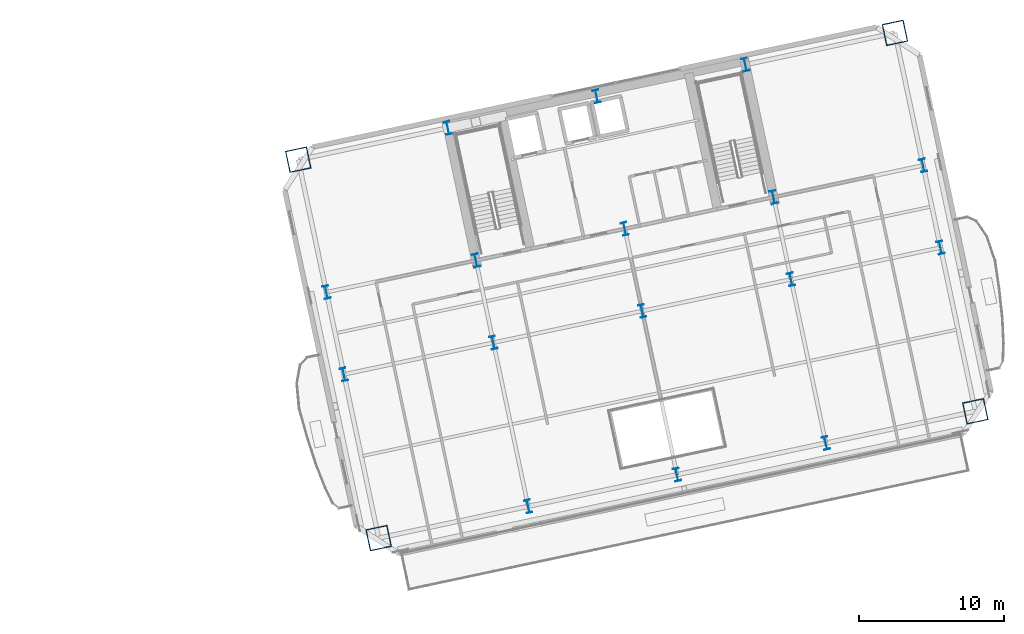
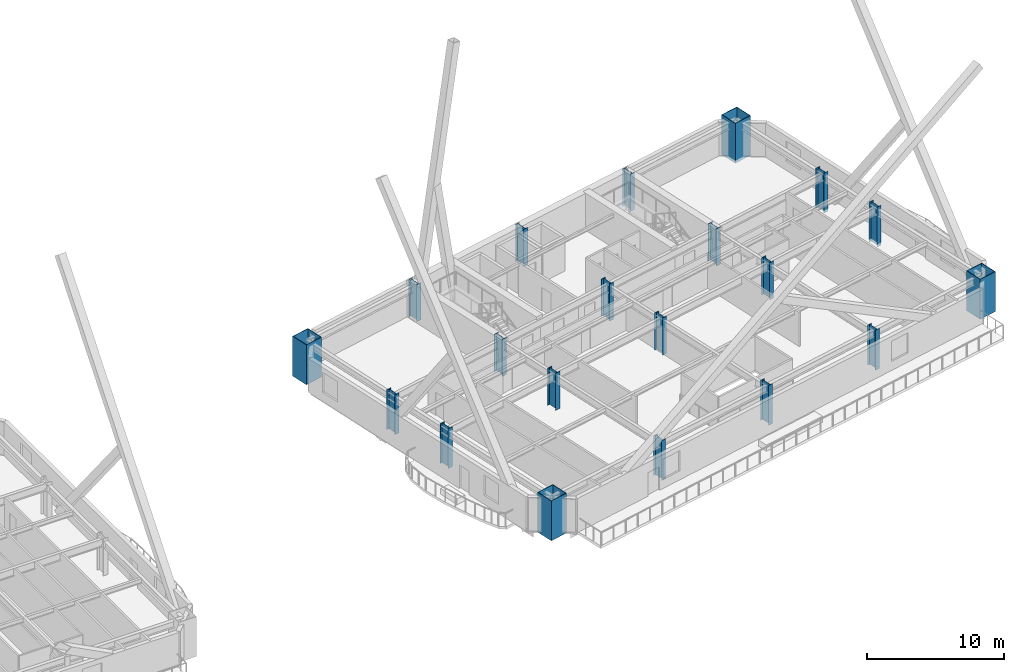
# One storey, part 2 of 22: 20 columns.
"""IFC4 building model written with IfcOpenShell, lengths in metres."""

from ifc_helpers import new_model, si_unit, direction, frame, origin, origin_2d, place, context, subcontext, project, spatial, hollow_rectangle, i_section, extrude, material, material_profile, profile_set, type_object, element, save


model = new_model("IFC4")

# Units and contexts
model_context = context("Model", 3, precision=1e-05, world=origin(), true_north=direction((0.0, 1.0)))
body_context = subcontext(model_context, "Body", "Model", "MODEL_VIEW")
ifc_project = project(units=[si_unit("LENGTHUNIT", "METRE"), si_unit("AREAUNIT", "SQUARE_METRE"), si_unit("VOLUMEUNIT", "CUBIC_METRE"), si_unit("PLANEANGLEUNIT", "RADIAN"), si_unit("MASSUNIT", "GRAM", prefix="KILO")], contexts=[model_context])

# Site, building, storey
site_placement = place(None, origin())
site = spatial("IfcSite", under=ifc_project, at=site_placement, CompositionType="ELEMENT")
building_placement = place(site_placement, origin())
building = spatial("IfcBuilding", under=site, at=building_placement, Name="Haevon Station Towers", CompositionType="ELEMENT")
storey_placement = place(building_placement, frame((0.0, 0.0, 70.199951171875)))
storey = spatial("IfcBuildingStorey", under=building, at=storey_placement, Name="L18", CompositionType="ELEMENT", Elevation=70.199951171875)

# Columns
ifc_material = material(Name="Steel S460", Category="steel")
ifc_material_profile_1 = material_profile(ifc_material, hollow_rectangle(XDim=1.5, YDim=1.5, WallThickness=0.0400390625, at=origin_2d()), Name="BOX-1500x1500x40")
ifc_profile_set_1 = profile_set([ifc_material_profile_1], Name="Steel S460")
column_type_1 = type_object("IfcColumnType", Name="COL-MC2", PredefinedType="COLUMN", material=ifc_profile_set_1)
for number, where, z_axis, x_axis, name in (
    (1, (92.040283203125, 18.278076171875, -0.25), (0.0, 0.0, 1.0), (0.978147600734, 0.207911690818, 0.0), "COL-T2-L18-01-01"),
    (2, (86.489013671875, 44.39453125, -0.25), (0.0, 0.0, 1.0), (0.978147600734, 0.207911690818, 0.0), "COL-T2-L18-01-04"),
    (3, (133.22021484375, 27.03125, -0.25), (0.0, 0.0, 1.0), (0.978147600734, 0.207911690818, 0.0), "COL-T2-L18-05-01"),
    (4, (127.6689453125, 53.147705078125, -0.25), (0.0, 0.0, 1.0), (0.978147600734, 0.207911690818, 0.0), "COL-T2-L18-05-04"),
):
    element("IfcColumn", number, at=place(storey_placement, frame(where, z_axis=z_axis, x_axis=x_axis)), inside=storey, type_object=column_type_1, Name=name, PredefinedType="COLUMN", context=body_context, shape_type="SweptSolid", body=[
        extrude(hollow_rectangle(XDim=1.5, YDim=1.5, WallThickness=0.0400390625, at=origin_2d()), origin(), (0.0, 0.0, 1.0), 3.550048828125),
    ])
ifc_material_profile_2 = material_profile(ifc_material, i_section(OverallWidth=0.39990234375, OverallDepth=0.89990234375, WebThickness=0.02001953125, FlangeThickness=0.035888671875, at=origin_2d()), Name="H-900x400x20x36")
ifc_profile_set_2 = profile_set([ifc_material_profile_2], Name="Steel S460")
column_type_2 = type_object("IfcColumnType", Name="COL-TW1", PredefinedType="COLUMN", material=ifc_profile_set_2)
for number, where, z_axis, x_axis, name in (
    (5, (89.638671875, 29.57568359375, -0.25), (0.0, 0.0, 1.0), (0.978147600734, 0.207911690818, 0.0), "COL-T2-L18-01-02"),
    (6, (88.432861328125, 35.2490234375, -0.25), (0.0, 0.0, 1.0), (0.978147600734, 0.207911690818, 0.0), "COL-T2-L18-01-03"),
    (7, (102.359619140625, 20.471435546875, -0.25), (0.0, 0.0, 1.0), (0.978147600734, 0.207911690818, 0.0), "COL-T2-L18-02-01"),
):
    element("IfcColumn", number, at=place(storey_placement, frame(where, z_axis=z_axis, x_axis=x_axis)), inside=storey, type_object=column_type_2, Name=name, PredefinedType="COLUMN", context=body_context, shape_type="SweptSolid", body=[
        extrude(i_section(OverallWidth=0.39990234375, OverallDepth=0.89990234375, WebThickness=0.02001953125, FlangeThickness=0.035888671875, at=origin_2d()), origin(), (0.0, 0.0, 1.0), 3.550048828125),
    ])
for number, where, z_axis, x_axis, name in (
    (8, (99.958251953125, 31.76904296875, 0.0), (0.0, 0.0, 1.0), (0.978147600734, 0.207911690818, 0.0), "COL-T2-L18-02-02"),
    (9, (98.75244140625, 37.4423828125, 0.0), (0.0, 0.0, 1.0), (0.978147600734, 0.207911690818, 0.0), "COL-T2-L18-02-03"),
    (10, (96.808349609375, 46.588134765625, 0.0), (0.0, 0.0, 1.0), (0.978147600734, 0.207911690818, 0.0), "COL-T2-L18-02-04"),
):
    element("IfcColumn", number, at=place(storey_placement, frame(where, z_axis=z_axis, x_axis=x_axis)), inside=storey, type_object=column_type_2, Name=name, PredefinedType="COLUMN", context=body_context, shape_type="SweptSolid", body=[
        extrude(i_section(OverallWidth=0.39990234375, OverallDepth=0.89990234375, WebThickness=0.02001953125, FlangeThickness=0.035888671875, at=origin_2d()), origin(), (0.0, 0.0, 1.0), 3.300048828125),
    ])
column_1_placement = place(storey_placement, frame((112.630126953125, 22.654541015625, -0.25), z_axis=(0.0, 0.0, 1.0), x_axis=(0.978147600734, 0.207911690818, 0.0)))
element("IfcColumn", 11, at=column_1_placement, inside=storey, type_object=column_type_2, Name="COL-T2-L18-03-01", PredefinedType="COLUMN", context=body_context, shape_type="SweptSolid", body=[
    extrude(i_section(OverallWidth=0.39990234375, OverallDepth=0.89990234375, WebThickness=0.02001953125, FlangeThickness=0.035888671875, at=origin_2d()), origin(), (0.0, 0.0, 1.0), 3.550048828125),
])
for number, where, z_axis, x_axis, name in (
    (12, (110.228759765625, 33.9521484375, 0.0), (0.0, 0.0, 1.0), (0.978147600734, 0.207911690818, 0.0), "COL-T2-L18-03-02"),
    (13, (109.02294921875, 39.62548828125, 0.0), (0.0, 0.0, 1.0), (0.978147600734, 0.207911690818, 0.0), "COL-T2-L18-03-03"),
    (14, (107.078857421875, 48.771240234375, 0.0), (0.0, 0.0, 1.0), (0.978147600734, 0.207911690818, 0.0), "COL-T2-L18-03-04"),
):
    element("IfcColumn", number, at=place(storey_placement, frame(where, z_axis=z_axis, x_axis=x_axis)), inside=storey, type_object=column_type_2, Name=name, PredefinedType="COLUMN", context=body_context, shape_type="SweptSolid", body=[
        extrude(i_section(OverallWidth=0.39990234375, OverallDepth=0.89990234375, WebThickness=0.02001953125, FlangeThickness=0.035888671875, at=origin_2d()), origin(), (0.0, 0.0, 1.0), 3.300048828125),
    ])
column_2_placement = place(storey_placement, frame((122.900634765625, 24.837646484375, -0.25), z_axis=(0.0, 0.0, 1.0), x_axis=(0.978147600734, 0.207911690818, 0.0)))
element("IfcColumn", 15, at=column_2_placement, inside=storey, type_object=column_type_2, Name="COL-T2-L18-04-01", PredefinedType="COLUMN", context=body_context, shape_type="SweptSolid", body=[
    extrude(i_section(OverallWidth=0.39990234375, OverallDepth=0.89990234375, WebThickness=0.02001953125, FlangeThickness=0.035888671875, at=origin_2d()), origin(), (0.0, 0.0, 1.0), 3.550048828125),
])
for number, where, z_axis, x_axis, name in (
    (16, (120.499267578125, 36.13525390625, 0.0), (0.0, 0.0, 1.0), (0.978147600734, 0.207911690818, 0.0), "COL-T2-L18-04-02"),
    (17, (119.29345703125, 41.80859375, 0.0), (0.0, 0.0, 1.0), (0.978147600734, 0.207911690818, 0.0), "COL-T2-L18-04-03"),
    (18, (117.349365234375, 50.954345703125, 0.0), (0.0, 0.0, 1.0), (0.978147600734, 0.207911690818, 0.0), "COL-T2-L18-04-04"),
):
    element("IfcColumn", number, at=place(storey_placement, frame(where, z_axis=z_axis, x_axis=x_axis)), inside=storey, type_object=column_type_2, Name=name, PredefinedType="COLUMN", context=body_context, shape_type="SweptSolid", body=[
        extrude(i_section(OverallWidth=0.39990234375, OverallDepth=0.89990234375, WebThickness=0.02001953125, FlangeThickness=0.035888671875, at=origin_2d()), origin(), (0.0, 0.0, 1.0), 3.300048828125),
    ])
for number, where, z_axis, x_axis, name in (
    (19, (130.81884765625, 38.328857421875, -0.25), (0.0, 0.0, 1.0), (0.978147600734, 0.207911690818, 0.0), "COL-T2-L18-05-02"),
    (20, (129.61279296875, 44.001953125, -0.25), (0.0, 0.0, 1.0), (0.978147600734, 0.207911690818, 0.0), "COL-T2-L18-05-03"),
):
    element("IfcColumn", number, at=place(storey_placement, frame(where, z_axis=z_axis, x_axis=x_axis)), inside=storey, type_object=column_type_2, Name=name, PredefinedType="COLUMN", context=body_context, shape_type="SweptSolid", body=[
        extrude(i_section(OverallWidth=0.39990234375, OverallDepth=0.89990234375, WebThickness=0.02001953125, FlangeThickness=0.035888671875, at=origin_2d()), origin(), (0.0, 0.0, 1.0), 3.550048828125),
    ])

save(model, "model.ifc")
